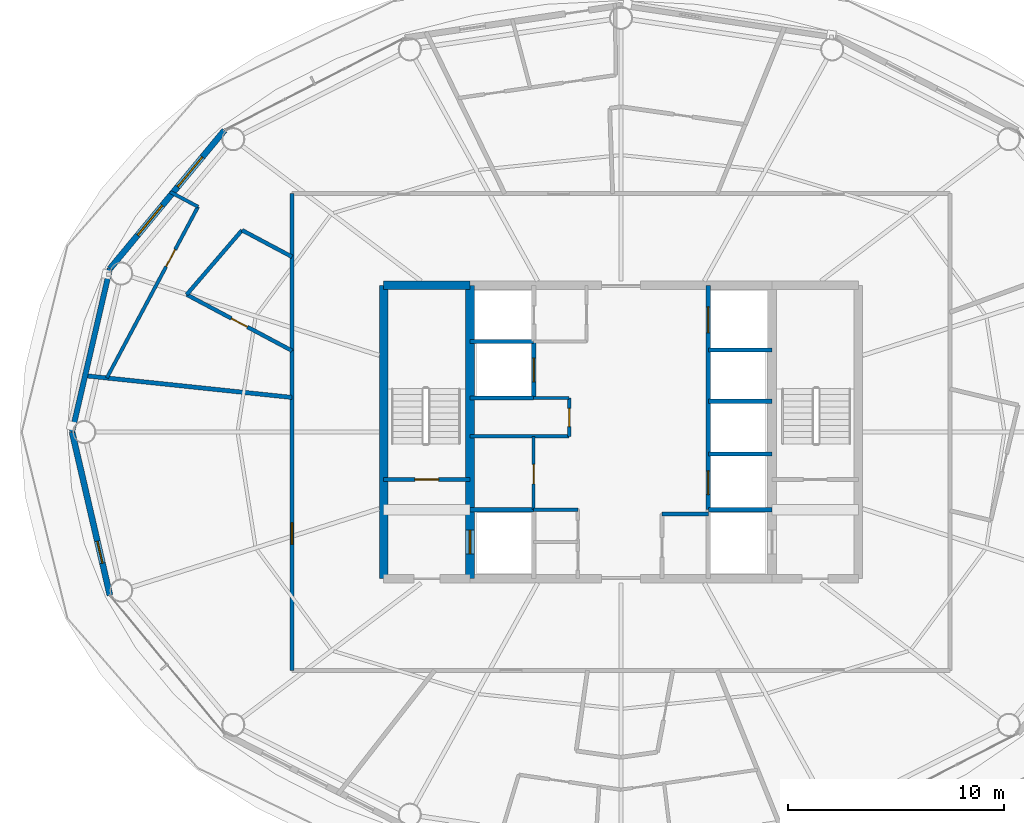
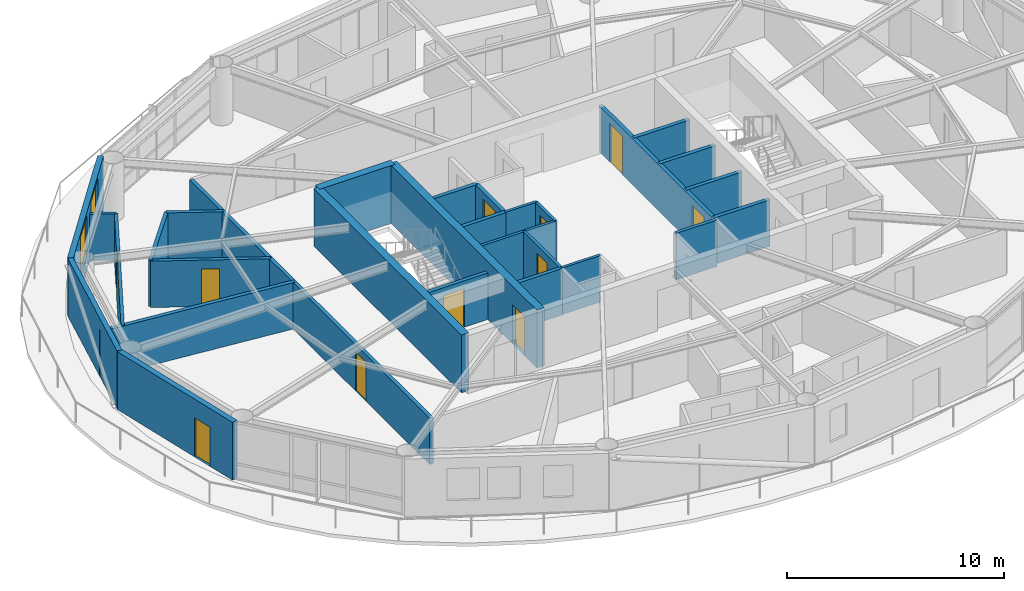
# One storey, part 19 of 24: 30 walls, 11 doors, 2 windows, 13 openings.
"""IFC4 building model written with IfcOpenShell, lengths in metres."""

from ifc_helpers import new_model, si_unit, direction, frame, frame_2d, origin, place, context, subcontext, project, spatial, rectangle, extrude, material, layer, layer_set, type_object, element, fill, save


model = new_model("IFC4")

# Units and contexts
model_context = context("Model", 3, precision=1e-05, world=origin(), true_north=direction((0.0, 1.0)))
body_context = subcontext(model_context, "Body", "Model", "MODEL_VIEW")
ifc_project = project(units=[si_unit("LENGTHUNIT", "METRE"), si_unit("AREAUNIT", "SQUARE_METRE"), si_unit("VOLUMEUNIT", "CUBIC_METRE"), si_unit("PLANEANGLEUNIT", "RADIAN"), si_unit("MASSUNIT", "GRAM", prefix="KILO")], contexts=[model_context])

# Site, building, storey
site_placement = place(None, origin())
site = spatial("IfcSite", under=ifc_project, at=site_placement, CompositionType="ELEMENT")
building_placement = place(site_placement, origin())
building = spatial("IfcBuilding", under=site, at=building_placement, Name="Sarneth Arch Tower", CompositionType="ELEMENT")
storey_placement = place(building_placement, frame((0.0, 0.0, 253.199951171875)))
storey = spatial("IfcBuildingStorey", under=building, at=storey_placement, Name="L65", CompositionType="ELEMENT", Elevation=253.199951171875)

# Walls
ifc_material_1 = material(Name="Concrete C50/60", Category="concrete")
ifc_layer_1 = layer(ifc_material_1, 0.39990234375)
ifc_layer_set_1 = layer_set([ifc_layer_1], Name="Concrete C50/60")
wall_type_1 = type_object("IfcWallType", Name="WALL-CORE-400", PredefinedType="SHEAR", material=ifc_layer_set_1)
wall_1_placement = place(storey_placement, frame((37.0, 48.800048828125, 0.0), z_axis=(0.0, 0.0, 1.0), x_axis=(1.0, 0.0, 0.0)))
element("IfcWall", 1, at=wall_1_placement, inside=storey, type_object=wall_type_1, Name="L65 Core shear wall N-W", PredefinedType="SHEAR", context=body_context, shape_type="SweptSolid", body=[
    extrude(rectangle(XDim=4.0, YDim=0.39990234375, at=frame_2d((2.0, 0.0))), origin(), (0.0, 0.0, 1.0), 3.25),
])
wall_2_placement = place(storey_placement, frame((37.0, 35.199951171875, 0.0), z_axis=(0.0, 0.0, 1.0), x_axis=(0.0, 1.0, 0.0)))
element("IfcWall", 2, at=wall_2_placement, inside=storey, type_object=wall_type_1, Name="L65 Core shear wall W", PredefinedType="SHEAR", context=body_context, shape_type="SweptSolid", body=[
    extrude(rectangle(XDim=13.60009765625, YDim=0.39990234375, at=frame_2d((6.800048828125, 0.0))), origin(), (0.0, 0.0, 1.0), 3.25),
])

# Wall, opening, door
wall_3_placement = place(storey_placement, frame((41.0, 35.199951171875, 0.0), z_axis=(0.0, 0.0, 1.0), x_axis=(0.0, 1.0, 0.0)))
wall_3 = element("IfcWall", 3, at=wall_3_placement, inside=storey, type_object=wall_type_1, Name="L65 Core shear wall WEB-W", PredefinedType="SHEAR", context=body_context, shape_type="SweptSolid", body=[
    extrude(rectangle(XDim=13.60009765625, YDim=0.39990234375, at=frame_2d((6.800048828125, 0.0))), origin(), (0.0, 0.0, 1.0), 3.25),
])
opening_1_placement = place(wall_3_placement, frame((1.14990234375, 0.0, 0.0)))
opening_1 = element("IfcOpeningElement", 4, at=opening_1_placement, cuts=wall_3, Name="Opening LD-1", PredefinedType="OPENING", context=body_context, shape_type="SweptSolid", body=[
    extrude(rectangle(XDim=1.10009765625, YDim=2.199951171875, at=frame_2d((0.550048828125, 1.10009765625))), frame((0.0, 0.2099609375, 0.0), z_axis=(0.0, -1.0, 0.0), x_axis=(1.0, 0.0, 0.0)), (0.0, 0.0, 1.0), 0.419921875),
])
ifc_material_2 = material(Name="Brushed Stainless Steel 304 lift landing door", Category="steel")
door_type_1 = type_object("IfcDoorType", Name="DR-LIFT-SLIDE-1100", OperationType="SLIDING_TO_LEFT", PredefinedType="DOOR", material=ifc_material_2)
door_1_placement = place(opening_1_placement, origin())
door_1 = element("IfcDoor", 5, at=door_1_placement, inside=storey, type_object=door_type_1, Name="L65 Firefighting lift landing door FL-1", OperationType="SLIDING_TO_LEFT", OverallHeight=2.199951171875, OverallWidth=1.10009765625, PredefinedType="DOOR", context=body_context, shape_type="SweptSolid", body=[
    extrude(rectangle(XDim=1.10009765625, YDim=2.199951171875, at=frame_2d((0.550048828125, 1.10009765625))), frame((0.0, 0.02490234375, 0.0), z_axis=(0.0, -1.0, 0.0), x_axis=(1.0, 0.0, 0.0)), (0.0, 0.0, 1.0), 0.050048828125),
])
fill(opening_1, door_1)

ifc_material_3 = material(Name="Double steel-stud corridor fire wall", Category="steel")
ifc_layer_2 = layer(ifc_material_3, 0.18994140625)
ifc_layer_set_2 = layer_set([ifc_layer_2], Name="Double steel-stud corridor fire wall")
wall_type_2 = type_object("IfcWallType", Name="WALL-CORR-190", PredefinedType="PARTITIONING", material=ifc_layer_set_2)
wall_4_placement = place(storey_placement, frame((32.75, 30.949951171875, 0.0), z_axis=(0.0, 0.0, 1.0), x_axis=(0.0, 1.0, 0.0)))
wall_4 = element("IfcWall", 6, at=wall_4_placement, inside=storey, type_object=wall_type_2, Name="L65 Interior partition W-L65-TP-010", PredefinedType="PARTITIONING", context=body_context, shape_type="SweptSolid", body=[
    extrude(rectangle(XDim=14.854736328125, YDim=0.18994140625, at=frame_2d((7.42724609375, 0.0))), origin(), (0.0, 0.0, 1.0), 2.610107421875),
])
opening_2_placement = place(wall_4_placement, frame((5.842529296875, 0.0, 0.0)))
opening_2 = element("IfcOpeningElement", 7, at=opening_2_placement, cuts=wall_4, Name="Opening FD-08", PredefinedType="OPENING", context=body_context, shape_type="SweptSolid", body=[
    extrude(rectangle(XDim=1.0, YDim=2.199951171875, at=frame_2d((0.5, 1.10009765625))), frame((0.0, 0.10498046875, 0.0), z_axis=(0.0, -1.0, 0.0), x_axis=(1.0, 0.0, 0.0)), (0.0, 0.0, 1.0), 0.2099609375),
])
ifc_material_4 = material(Name="Hardwood timber acoustic fire door", Category="wood")
door_type_2 = type_object("IfcDoorType", Name="DR-FD60-1000", OperationType="SINGLE_SWING_LEFT", PredefinedType="DOOR", material=ifc_material_4)
door_2_placement = place(opening_2_placement, origin())
door_2 = element("IfcDoor", 8, at=door_2_placement, inside=storey, type_object=door_type_2, Name="L65 Interior door DR-L65-RAMN-04", OperationType="SINGLE_SWING_LEFT", OverallHeight=2.199951171875, OverallWidth=1.0, PredefinedType="DOOR", context=body_context, shape_type="SweptSolid", body=[
    extrude(rectangle(XDim=1.0, YDim=2.199951171875, at=frame_2d((0.5, 1.10009765625))), frame((0.0, 0.02490234375, 0.0), z_axis=(0.0, -1.0, 0.0), x_axis=(1.0, 0.0, 0.0)), (0.0, 0.0, 1.0), 0.050048828125),
])
fill(opening_2, door_2)

# Walls
wall_5_placement = place(storey_placement, frame((32.75, 53.050048828125, 0.0), z_axis=(0.0, 0.0, 1.0), x_axis=(0.0, -1.0, 0.0)))
element("IfcWall", 9, at=wall_5_placement, inside=storey, type_object=wall_type_2, Name="L65 Interior partition W-L65-TP-008", PredefinedType="PARTITIONING", context=body_context, shape_type="SweptSolid", body=[
    extrude(rectangle(XDim=7.281494140625, YDim=0.18994140625, at=frame_2d((3.640625, 0.0))), origin(), (0.0, 0.0, 1.0), 2.610107421875),
])
ifc_material_5 = material(Name="Extruded terracotta rainscreen on Concrete C40/50 backing", Category="masonry")
ifc_layer_3 = layer(ifc_material_5, 0.25)
ifc_layer_set_3 = layer_set([ifc_layer_3], Name="Extruded terracotta rainscreen on Concrete C40/50 backing")
wall_type_3 = type_object("IfcWallType", Name="WALL-EXT-SPAND-250", PredefinedType="SOLIDWALL", material=ifc_layer_set_3)
wall_6_placement = place(storey_placement, frame((24.30615234375, 49.569580078125, 0.0), z_axis=(0.0, 0.0, 1.0), x_axis=(-0.225635078214, -0.974211892495, 0.0)))
element("IfcWall", 10, at=wall_6_placement, inside=storey, type_object=wall_type_3, Name="L65 Terracotta perimeter wall 08", PredefinedType="SOLIDWALL", context=body_context, shape_type="SweptSolid", body=[
    extrude(rectangle(XDim=7.77001953125, YDim=0.25, at=frame_2d((3.885009765625, 0.0))), origin(), (0.0, 0.0, 1.0), 3.25),
])

# Wall, openings, windows
ifc_material_6 = material(Name="Extruded terracotta rainscreen on Concrete C40/50 backing", Category="masonry")
ifc_layer_4 = layer(ifc_material_6, 0.280029296875)
ifc_layer_set_4 = layer_set([ifc_layer_4], Name="Extruded terracotta rainscreen on Concrete C40/50 backing")
wall_type_4 = type_object("IfcWallType", Name="WALL-EXT-TERRA-280", PredefinedType="SOLIDWALL", material=ifc_layer_set_4)
wall_7_placement = place(storey_placement, frame((29.617431640625, 55.986572265625, 0.0), z_axis=(0.0, 0.0, 1.0), x_axis=(-0.63761509934, -0.770355103243, 0.0)))
wall_7 = element("IfcWall", 11, at=wall_7_placement, inside=storey, type_object=wall_type_4, Name="L65 Terracotta perimeter wall 07", PredefinedType="SOLIDWALL", context=body_context, shape_type="SweptSolid", body=[
    extrude(rectangle(XDim=8.329833984375, YDim=0.280029296875, at=frame_2d((4.1650390625, 0.0))), origin(), (0.0, 0.0, 1.0), 3.25),
])
opening_3_placement = place(wall_7_placement, frame((1.605224609375, 0.0, 0.85009765625)))
opening_3 = element("IfcOpeningElement", 12, at=opening_3_placement, cuts=wall_7, Name="Opening W-04", PredefinedType="OPENING", context=body_context, shape_type="SweptSolid", body=[
    extrude(rectangle(XDim=1.800048828125, YDim=2.199951171875, at=frame_2d((0.89990234375, 1.10009765625))), frame((0.0, 0.14990234375, 0.0), z_axis=(0.0, -1.0, 0.0), x_axis=(1.0, 0.0, 0.0)), (0.0, 0.0, 1.0), 0.300048828125),
])
opening_4_placement = place(wall_7_placement, frame((4.51025390625, 0.0, 0.85009765625)))
opening_4 = element("IfcOpeningElement", 13, at=opening_4_placement, cuts=wall_7, Name="Opening W-04", PredefinedType="OPENING", context=body_context, shape_type="SweptSolid", body=[
    extrude(rectangle(XDim=1.800048828125, YDim=2.199951171875, at=frame_2d((0.89990234375, 1.10009765625))), frame((0.0, 0.14990234375, 0.0), z_axis=(0.0, -1.0, 0.0), x_axis=(1.0, 0.0, 0.0)), (0.0, 0.0, 1.0), 0.300048828125),
])
ifc_material_7 = material(Name="Thermally broken Aluminium 6063-T6 and low-e laminated IGU", Category="aluminium")
window_type = type_object("IfcWindowType", Name="WIN-TWR-1800x2200", PartitioningType="DOUBLE_PANEL_VERTICAL", PredefinedType="WINDOW", material=ifc_material_7)
window_1_placement = place(opening_3_placement, origin())
window_1 = element("IfcWindow", 14, at=window_1_placement, inside=storey, type_object=window_type, Name="L65 Exterior window 07A", OverallHeight=2.199951171875, OverallWidth=1.800048828125, PartitioningType="SINGLE_PANEL", PredefinedType="WINDOW", context=body_context, shape_type="SweptSolid", body=[
    extrude(rectangle(XDim=1.800048828125, YDim=2.199951171875, at=frame_2d((0.89990234375, 1.10009765625))), frame((0.0, 0.030029296875, 0.0), z_axis=(0.0, -1.0, 0.0), x_axis=(1.0, 0.0, 0.0)), (0.0, 0.0, 1.0), 0.06005859375),
])
fill(opening_3, window_1)
window_2_placement = place(opening_4_placement, origin())
window_2 = element("IfcWindow", 15, at=window_2_placement, inside=storey, type_object=window_type, Name="L65 Exterior window 07B", OverallHeight=2.199951171875, OverallWidth=1.800048828125, PartitioningType="SINGLE_PANEL", PredefinedType="WINDOW", context=body_context, shape_type="SweptSolid", body=[
    extrude(rectangle(XDim=1.800048828125, YDim=2.199951171875, at=frame_2d((0.89990234375, 1.10009765625))), frame((0.0, 0.030029296875, 0.0), z_axis=(0.0, -1.0, 0.0), x_axis=(1.0, 0.0, 0.0)), (0.0, 0.0, 1.0), 0.06005859375),
])
fill(opening_4, window_2)

# Wall, opening, door
wall_8_placement = place(storey_placement, frame((22.552978515625, 42.0, 0.0), z_axis=(0.0, 0.0, 1.0), x_axis=(0.225635078214, -0.974211892495, 0.0)))
wall_8 = element("IfcWall", 16, at=wall_8_placement, inside=storey, type_object=wall_type_4, Name="L65 Terracotta perimeter wall 09", PredefinedType="SOLIDWALL", context=body_context, shape_type="SweptSolid", body=[
    extrude(rectangle(XDim=7.77001953125, YDim=0.280029296875, at=frame_2d((3.885009765625, 0.0))), origin(), (0.0, 0.0, 1.0), 3.25),
])
opening_5_placement = place(wall_8_placement, frame((5.192138671875, 0.0, 0.0)))
opening_5 = element("IfcOpeningElement", 17, at=opening_5_placement, cuts=wall_8, Name="Opening BD-4", PredefinedType="OPENING", context=body_context, shape_type="SweptSolid", body=[
    extrude(rectangle(XDim=1.050048828125, YDim=2.199951171875, at=frame_2d((0.52490234375, 1.10009765625))), frame((0.0, 0.14990234375, 0.0), z_axis=(0.0, -1.0, 0.0), x_axis=(1.0, 0.0, 0.0)), (0.0, 0.0, 1.0), 0.300048828125),
])
ifc_material_8 = material(Name="Thermally broken Aluminium 6063-T6 and laminated safety glass", Category="aluminium")
door_type_3 = type_object("IfcDoorType", Name="DR-BALC-GLZ-1050", OperationType="SINGLE_SWING_RIGHT", PredefinedType="DOOR", material=ifc_material_8)
door_3_placement = place(opening_5_placement, origin())
door_3 = element("IfcDoor", 18, at=door_3_placement, inside=storey, type_object=door_type_3, Name="L65 Balcony glazed door 09", OperationType="SINGLE_SWING_RIGHT", OverallHeight=2.199951171875, OverallWidth=1.050048828125, PredefinedType="DOOR", context=body_context, shape_type="SweptSolid", body=[
    extrude(rectangle(XDim=1.050048828125, YDim=2.199951171875, at=frame_2d((0.52490234375, 1.10009765625))), frame((0.0, 0.02490234375, 0.0), z_axis=(0.0, -1.0, 0.0), x_axis=(1.0, 0.0, 0.0)), (0.0, 0.0, 1.0), 0.050048828125),
])
fill(opening_5, door_3)

ifc_material_9 = material(Name="Acoustic gypsum stud partition", Category="gypsum")
ifc_layer_5 = layer(ifc_material_9, 0.14990234375)
ifc_layer_set_5 = layer_set([ifc_layer_5], Name="Acoustic gypsum stud partition")
wall_type_5 = type_object("IfcWallType", Name="WALL-PART-150", PredefinedType="PARTITIONING", material=ifc_layer_set_5)
wall_9_placement = place(storey_placement, frame((43.949951171875, 38.39990234375, 0.0), z_axis=(0.0, 0.0, 1.0), x_axis=(0.0, 1.0, 0.0)))
wall_9 = element("IfcWall", 19, at=wall_9_placement, inside=storey, type_object=wall_type_5, Name="L65 Interior partition W-L65-RECPL-E1", PredefinedType="PARTITIONING", context=body_context, shape_type="SweptSolid", body=[
    extrude(rectangle(XDim=3.400146484375, YDim=0.14990234375, at=frame_2d((1.7001953125, 0.0))), origin(), (0.0, 0.0, 1.0), 2.610107421875),
])
opening_6_placement = place(wall_9_placement, frame((1.199951171875, 0.0, 0.0)))
opening_6 = element("IfcOpeningElement", 20, at=opening_6_placement, cuts=wall_9, Name="Opening FD-10", PredefinedType="OPENING", context=body_context, shape_type="SweptSolid", body=[
    extrude(rectangle(XDim=0.89990234375, YDim=2.14990234375, at=frame_2d((0.449951171875, 1.074951171875))), frame((0.0, 0.0849609375, 0.0), z_axis=(0.0, -1.0, 0.0), x_axis=(1.0, 0.0, 0.0)), (0.0, 0.0, 1.0), 0.169921875),
])
ifc_material_10 = material(Name="Galvanised Steel S275 riser/service fire door", Category="steel")
door_type_4 = type_object("IfcDoorType", Name="DR-FD60-900", OperationType="SINGLE_SWING_LEFT", PredefinedType="DOOR", material=ifc_material_10)
door_4_placement = place(opening_6_placement, origin())
door_4 = element("IfcDoor", 21, at=door_4_placement, inside=storey, type_object=door_type_4, Name="L65 Interior door DR-L65-RECPL1", OperationType="SINGLE_SWING_LEFT", OverallHeight=2.14990234375, OverallWidth=0.89990234375, PredefinedType="DOOR", context=body_context, shape_type="SweptSolid", body=[
    extrude(rectangle(XDim=0.89990234375, YDim=2.14990234375, at=frame_2d((0.449951171875, 1.074951171875))), frame((0.0, 0.02490234375, 0.0), z_axis=(0.0, -1.0, 0.0), x_axis=(1.0, 0.0, 0.0)), (0.0, 0.0, 1.0), 0.050048828125),
])
fill(opening_6, door_4)

# Walls
wall_10_placement = place(storey_placement, frame((41.0, 41.800048828125, 0.0), z_axis=(0.0, 0.0, 1.0), x_axis=(1.0, 0.0, 0.0)))
element("IfcWall", 22, at=wall_10_placement, inside=storey, type_object=wall_type_5, Name="L65 Interior partition W-L65-RECPL-S2", PredefinedType="PARTITIONING", context=body_context, shape_type="SweptSolid", body=[
    extrude(rectangle(XDim=4.60009765625, YDim=0.14990234375, at=frame_2d((2.300048828125, 0.0))), origin(), (0.0, 0.0, 1.0), 2.610107421875),
])
wall_11_placement = place(storey_placement, frame((43.949951171875, 43.580078125, 0.0), z_axis=(0.0, 0.0, 1.0), x_axis=(1.0, 0.0, 0.0)))
element("IfcWall", 23, at=wall_11_placement, inside=storey, type_object=wall_type_5, Name="L65 Interior partition W-L65-RECPL-N2", PredefinedType="PARTITIONING", context=body_context, shape_type="SweptSolid", body=[
    extrude(rectangle(XDim=1.650146484375, YDim=0.14990234375, at=frame_2d((0.8251953125, 0.0))), origin(), (0.0, 0.0, 1.0), 2.610107421875),
])

# Wall, opening, door
wall_12_placement = place(storey_placement, frame((45.60009765625, 41.800048828125, 0.0), z_axis=(0.0, 0.0, 1.0), x_axis=(0.0, 1.0, 0.0)))
wall_12 = element("IfcWall", 24, at=wall_12_placement, inside=storey, type_object=wall_type_5, Name="L65 Interior partition W-L65-RECPL-E2", PredefinedType="PARTITIONING", context=body_context, shape_type="SweptSolid", body=[
    extrude(rectangle(XDim=1.780029296875, YDim=0.14990234375, at=frame_2d((0.89013671875, 0.0))), origin(), (0.0, 0.0, 1.0), 2.610107421875),
])
opening_7_placement = place(wall_12_placement, frame((0.449951171875, 0.0, 0.0)))
opening_7 = element("IfcOpeningElement", 25, at=opening_7_placement, cuts=wall_12, Name="Opening FD-11", PredefinedType="OPENING", context=body_context, shape_type="SweptSolid", body=[
    extrude(rectangle(XDim=0.85009765625, YDim=2.14990234375, at=frame_2d((0.425048828125, 1.074951171875))), frame((0.0, 0.0849609375, 0.0), z_axis=(0.0, -1.0, 0.0), x_axis=(1.0, 0.0, 0.0)), (0.0, 0.0, 1.0), 0.169921875),
])
ifc_material_11 = material(Name="Galvanised Steel S275 closet fire door", Category="steel")
door_type_5 = type_object("IfcDoorType", Name="DR-FD60-850", OperationType="SINGLE_SWING_LEFT", PredefinedType="DOOR", material=ifc_material_11)
door_5_placement = place(opening_7_placement, origin())
door_5 = element("IfcDoor", 26, at=door_5_placement, inside=storey, type_object=door_type_5, Name="L65 Interior door DR-L65-RECPL2", OperationType="SINGLE_SWING_RIGHT", OverallHeight=2.14990234375, OverallWidth=0.85009765625, PredefinedType="DOOR", context=body_context, shape_type="SweptSolid", body=[
    extrude(rectangle(XDim=0.85009765625, YDim=2.14990234375, at=frame_2d((0.425048828125, 1.074951171875))), frame((0.0, 0.02490234375, 0.0), z_axis=(0.0, -1.0, 0.0), x_axis=(1.0, 0.0, 0.0)), (0.0, 0.0, 1.0), 0.050048828125),
])
fill(opening_7, door_5)

# Wall
wall_13_placement = place(storey_placement, frame((43.949951171875, 38.39990234375, 0.0), z_axis=(0.0, 0.0, 1.0), x_axis=(1.0, 0.0, 0.0)))
element("IfcWall", 27, at=wall_13_placement, inside=storey, type_object=wall_type_5, Name="L65 Interior partition W-L65-CSUP-N", PredefinedType="PARTITIONING", context=body_context, shape_type="SweptSolid", body=[
    extrude(rectangle(XDim=2.050048828125, YDim=0.14990234375, at=frame_2d((1.02490234375, 0.0))), origin(), (0.0, 0.0, 1.0), 2.610107421875),
])

# Wall, opening, door
ifc_material_12 = material(Name="Kitchen wet service chase wall", Category="gypsum")
ifc_layer_6 = layer(ifc_material_12, 0.159912109375)
ifc_layer_set_6 = layer_set([ifc_layer_6], Name="Kitchen wet service chase wall")
wall_type_6 = type_object("IfcWallType", Name="WALL-PLUMB-160", PredefinedType="PLUMBINGWALL", material=ifc_layer_set_6)
wall_14_placement = place(storey_placement, frame((28.39111328125, 52.44384765625, 0.0), z_axis=(0.0, 0.0, 1.0), x_axis=(-0.470083782917, -0.882621797282, 0.0)))
wall_14 = element("IfcWall", 28, at=wall_14_placement, inside=storey, type_object=wall_type_6, Name="L65 Interior partition W-L65-TP-035", PredefinedType="PLUMBINGWALL", context=body_context, shape_type="SweptSolid", body=[
    extrude(rectangle(XDim=8.994140625, YDim=0.159912109375, at=frame_2d((4.4970703125, 0.0))), origin(), (0.0, 0.0, 1.0), 2.610107421875),
])
opening_8_placement = place(wall_14_placement, frame((2.2470703125, 0.0, 0.0)))
opening_8 = element("IfcOpeningElement", 29, at=opening_8_placement, cuts=wall_14, Name="Opening ID-01", PredefinedType="OPENING", context=body_context, shape_type="SweptSolid", body=[
    extrude(rectangle(XDim=0.89990234375, YDim=2.10009765625, at=frame_2d((0.449951171875, 1.050048828125))), frame((0.0, 0.08984375, 0.0), z_axis=(0.0, -1.0, 0.0), x_axis=(1.0, 0.0, 0.0)), (0.0, 0.0, 1.0), 0.179931640625),
])
ifc_material_13 = material(Name="Engineered hardwood flush door", Category="wood")
door_type_6 = type_object("IfcDoorType", Name="DR-INT-900", OperationType="SINGLE_SWING_LEFT", PredefinedType="DOOR", material=ifc_material_13)
door_6_placement = place(opening_8_placement, origin())
door_6 = element("IfcDoor", 30, at=door_6_placement, inside=storey, type_object=door_type_6, Name="L65 Interior door DR-L65-U3-KIT", OperationType="SINGLE_SWING_RIGHT", OverallHeight=2.10009765625, OverallWidth=0.89990234375, PredefinedType="DOOR", context=body_context, shape_type="SweptSolid", body=[
    extrude(rectangle(XDim=0.89990234375, YDim=2.10009765625, at=frame_2d((0.449951171875, 1.050048828125))), frame((0.0, 0.02490234375, 0.0), z_axis=(0.0, -1.0, 0.0), x_axis=(1.0, 0.0, 0.0)), (0.0, 0.0, 1.0), 0.050048828125),
])
fill(opening_8, door_6)

# Walls
wall_15_placement = place(storey_placement, frame((27.101318359375, 53.130859375, 0.0), z_axis=(0.0, 0.0, 1.0), x_axis=(0.882602546791, -0.470119925548, 0.0)))
element("IfcWall", 31, at=wall_15_placement, inside=storey, type_object=wall_type_6, Name="L65 Interior partition W-L65-TP-034", PredefinedType="PLUMBINGWALL", context=body_context, shape_type="SweptSolid", body=[
    extrude(rectangle(XDim=1.46142578125, YDim=0.159912109375, at=frame_2d((0.730712890625, 0.0))), origin(), (0.0, 0.0, 1.0), 2.610107421875),
])
ifc_material_14 = material(Name="Moisture-resistant plumbing chase wall", Category="gypsum")
ifc_layer_7 = layer(ifc_material_14, 0.179931640625)
ifc_layer_set_7 = layer_set([ifc_layer_7], Name="Moisture-resistant plumbing chase wall")
wall_type_7 = type_object("IfcWallType", Name="WALL-PLUMB-180", PredefinedType="PLUMBINGWALL", material=ifc_layer_set_7)
wall_16_placement = place(storey_placement, frame((49.89990234375, 38.199951171875, 0.0), z_axis=(0.0, 0.0, 1.0), x_axis=(1.0, 0.0, 0.0)))
element("IfcWall", 32, at=wall_16_placement, inside=storey, type_object=wall_type_7, Name="L65 Interior partition W-L65-AWC-N", PredefinedType="PLUMBINGWALL", context=body_context, shape_type="SweptSolid", body=[
    extrude(rectangle(XDim=2.150146484375, YDim=0.179931640625, at=frame_2d((1.0751953125, 0.0))), origin(), (0.0, 0.0, 1.0), 2.610107421875),
])

# Wall, opening, door
wall_17_placement = place(storey_placement, frame((32.75, 45.7685546875, 0.0), z_axis=(0.0, 0.0, 1.0), x_axis=(-0.882616579005, 0.470093580541, 0.0)))
wall_17 = element("IfcWall", 33, at=wall_17_placement, inside=storey, type_object=wall_type_7, Name="L65 Interior partition W-L65-TP-031", PredefinedType="PLUMBINGWALL", context=body_context, shape_type="SweptSolid", body=[
    extrude(rectangle(XDim=5.5341796875, YDim=0.179931640625, at=frame_2d((2.76708984375, 0.0))), origin(), (0.0, 0.0, 1.0), 2.610107421875),
])
opening_9_placement = place(wall_17_placement, frame((2.342041015625, 0.0, 0.0)))
opening_9 = element("IfcOpeningElement", 34, at=opening_9_placement, cuts=wall_17, Name="Opening ID-02", PredefinedType="OPENING", context=body_context, shape_type="SweptSolid", body=[
    extrude(rectangle(XDim=0.85009765625, YDim=2.10009765625, at=frame_2d((0.425048828125, 1.050048828125))), frame((0.0, 0.099853515625, 0.0), z_axis=(0.0, -1.0, 0.0), x_axis=(1.0, 0.0, 0.0)), (0.0, 0.0, 1.0), 0.199951171875),
])
ifc_material_15 = material(Name="Moisture-resistant bathroom timber door", Category="wood")
door_type_7 = type_object("IfcDoorType", Name="DR-INT-850", OperationType="SINGLE_SWING_RIGHT", PredefinedType="DOOR", material=ifc_material_15)
door_7_placement = place(opening_9_placement, origin())
door_7 = element("IfcDoor", 35, at=door_7_placement, inside=storey, type_object=door_type_7, Name="L65 Interior door DR-L65-U3-BATH", OperationType="SINGLE_SWING_LEFT", OverallHeight=2.10009765625, OverallWidth=0.85009765625, PredefinedType="DOOR", context=body_context, shape_type="SweptSolid", body=[
    extrude(rectangle(XDim=0.85009765625, YDim=2.10009765625, at=frame_2d((0.425048828125, 1.050048828125))), frame((0.0, 0.02490234375, 0.0), z_axis=(0.0, -1.0, 0.0), x_axis=(1.0, 0.0, 0.0)), (0.0, 0.0, 1.0), 0.050048828125),
])
fill(opening_9, door_7)

# Walls
wall_18_placement = place(storey_placement, frame((27.865478515625, 48.3701171875, 0.0), z_axis=(0.0, 0.0, 1.0), x_axis=(0.65191382082, 0.758293063548, 0.0)))
element("IfcWall", 36, at=wall_18_placement, inside=storey, type_object=wall_type_7, Name="L65 Interior partition W-L65-TP-032", PredefinedType="PLUMBINGWALL", context=body_context, shape_type="SweptSolid", body=[
    extrude(rectangle(XDim=3.938232421875, YDim=0.179931640625, at=frame_2d((1.96923828125, 0.0))), origin(), (0.0, 0.0, 1.0), 2.610107421875),
])
wall_19_placement = place(storey_placement, frame((30.432861328125, 51.3564453125, 0.0), z_axis=(0.0, 0.0, 1.0), x_axis=(0.882617950214, -0.470091006041, 0.0)))
element("IfcWall", 37, at=wall_19_placement, inside=storey, type_object=wall_type_7, Name="L65 Interior partition W-L65-TP-033", PredefinedType="PLUMBINGWALL", context=body_context, shape_type="SweptSolid", body=[
    extrude(rectangle(XDim=2.625244140625, YDim=0.179931640625, at=frame_2d((1.3125, 0.0))), origin(), (0.0, 0.0, 1.0), 2.610107421875),
])

# Wall, opening, door
ifc_material_16 = material(Name="Aerated concrete blockwork C25/30", Category="masonry")
ifc_layer_8 = layer(ifc_material_16, 0.199951171875)
ifc_layer_set_8 = layer_set([ifc_layer_8], Name="Aerated concrete blockwork C25/30")
wall_type_8 = type_object("IfcWallType", Name="WALL-SHAFT-200", PredefinedType="SOLIDWALL", material=ifc_layer_set_8)
wall_20_placement = place(storey_placement, frame((37.0, 39.800048828125, 0.0), z_axis=(0.0, 0.0, 1.0), x_axis=(1.0, 0.0, 0.0)))
wall_20 = element("IfcWall", 38, at=wall_20_placement, inside=storey, type_object=wall_type_8, Name="L65 Interior partition W-L65-ST1-S", PredefinedType="SOLIDWALL", context=body_context, shape_type="SweptSolid", body=[
    extrude(rectangle(XDim=4.0, YDim=0.199951171875, at=frame_2d((2.0, 0.0))), origin(), (0.0, 0.0, 1.0), 2.610107421875),
])
opening_10_placement = place(wall_20_placement, frame((1.449951171875, 0.0, 0.0)))
opening_10 = element("IfcOpeningElement", 39, at=opening_10_placement, cuts=wall_20, Name="Opening FD-03", PredefinedType="OPENING", context=body_context, shape_type="SweptSolid", body=[
    extrude(rectangle(XDim=1.10009765625, YDim=2.14990234375, at=frame_2d((0.550048828125, 1.074951171875))), frame((0.0, 0.10986328125, 0.0), z_axis=(0.0, -1.0, 0.0), x_axis=(1.0, 0.0, 0.0)), (0.0, 0.0, 1.0), 0.219970703125),
])
ifc_material_17 = material(Name="Galvanised Steel S275 fire door set", Category="steel")
door_type_8 = type_object("IfcDoorType", Name="DR-FD90-1100", OperationType="SINGLE_SWING_LEFT", PredefinedType="DOOR", material=ifc_material_17)
door_8_placement = place(opening_10_placement, origin())
door_8 = element("IfcDoor", 40, at=door_8_placement, inside=storey, type_object=door_type_8, Name="L65 Interior door DR-L65-ST1", OperationType="SINGLE_SWING_LEFT", OverallHeight=2.14990234375, OverallWidth=1.10009765625, PredefinedType="DOOR", context=body_context, shape_type="SweptSolid", body=[
    extrude(rectangle(XDim=1.10009765625, YDim=2.14990234375, at=frame_2d((0.550048828125, 1.074951171875))), frame((0.0, 0.02490234375, 0.0), z_axis=(0.0, -1.0, 0.0), x_axis=(1.0, 0.0, 0.0)), (0.0, 0.0, 1.0), 0.050048828125),
])
fill(opening_10, door_8)

# Walls
for number, where, z_axis, x_axis, name in (
    (41, (41.0, 38.39990234375, 0.0), (0.0, 0.0, 1.0), (1.0, 0.0, 0.0), "L65 Interior partition W-L65-FL1-N"),
    (42, (52.050048828125, 38.39990234375, 0.0), (0.0, 0.0, 1.0), (1.0, 0.0, 0.0), "L65 Interior partition W-L65-FL2-N"),
    (43, (41.0, 46.199951171875, 0.0), (0.0, 0.0, 1.0), (1.0, 0.0, 0.0), "L65 Interior partition W-L65-RISER-S"),
    (44, (41.0, 43.580078125, 0.0), (0.0, 0.0, 1.0), (1.0, 0.0, 0.0), "L65 Interior partition W-L65-PM1-S"),
):
    element("IfcWall", number, at=place(storey_placement, frame(where, z_axis=z_axis, x_axis=x_axis)), inside=storey, type_object=wall_type_8, Name=name, PredefinedType="SOLIDWALL", context=body_context, shape_type="SweptSolid", body=[
        extrude(rectangle(XDim=2.949951171875, YDim=0.199951171875, at=frame_2d((1.47509765625, 0.0))), origin(), (0.0, 0.0, 1.0), 2.610107421875),
    ])

# Wall, opening, door
wall_21_placement = place(storey_placement, frame((43.949951171875, 43.580078125, 0.0), z_axis=(0.0, 0.0, 1.0), x_axis=(0.0, 1.0, 0.0)))
wall_21 = element("IfcWall", 45, at=wall_21_placement, inside=storey, type_object=wall_type_8, Name="L65 Interior partition W-L65-PM1-FRONT", PredefinedType="SOLIDWALL", context=body_context, shape_type="SweptSolid", body=[
    extrude(rectangle(XDim=2.619873046875, YDim=0.199951171875, at=frame_2d((1.31005859375, 0.0))), origin(), (0.0, 0.0, 1.0), 2.610107421875),
])
opening_11_placement = place(wall_21_placement, frame((0.75, 0.0, 0.0)))
opening_11 = element("IfcOpeningElement", 46, at=opening_11_placement, cuts=wall_21, Name="Opening LD-1", PredefinedType="OPENING", context=body_context, shape_type="SweptSolid", body=[
    extrude(rectangle(XDim=1.10009765625, YDim=2.199951171875, at=frame_2d((0.550048828125, 1.10009765625))), frame((0.0, 0.10986328125, 0.0), z_axis=(0.0, -1.0, 0.0), x_axis=(1.0, 0.0, 0.0)), (0.0, 0.0, 1.0), 0.219970703125),
])
door_9_placement = place(opening_11_placement, origin())
door_9 = element("IfcDoor", 47, at=door_9_placement, inside=storey, type_object=door_type_1, Name="L65 Lift landing door DR-L65-LD-PM1", OperationType="SLIDING_TO_LEFT", OverallHeight=2.199951171875, OverallWidth=1.10009765625, PredefinedType="DOOR", context=body_context, shape_type="SweptSolid", body=[
    extrude(rectangle(XDim=1.10009765625, YDim=2.199951171875, at=frame_2d((0.550048828125, 1.10009765625))), frame((0.0, 0.02490234375, 0.0), z_axis=(0.0, -1.0, 0.0), x_axis=(1.0, 0.0, 0.0)), (0.0, 0.0, 1.0), 0.050048828125),
])
fill(opening_11, door_9)

# Wall, openings, doors
wall_22_placement = place(storey_placement, frame((52.050048828125, 38.39990234375, 0.0), z_axis=(0.0, 0.0, 1.0), x_axis=(0.0, 1.0, 0.0)))
wall_22 = element("IfcWall", 48, at=wall_22_placement, inside=storey, type_object=wall_type_8, Name="L65 Interior partition W-L65-EASTBANK-FRONT", PredefinedType="SOLIDWALL", context=body_context, shape_type="SweptSolid", body=[
    extrude(rectangle(XDim=10.400146484375, YDim=0.199951171875, at=frame_2d((5.2001953125, 0.0))), origin(), (0.0, 0.0, 1.0), 2.610107421875),
])
opening_12_placement = place(wall_22_placement, frame((0.699951171875, 0.0, 0.0)))
opening_12 = element("IfcOpeningElement", 49, at=opening_12_placement, cuts=wall_22, Name="Opening LD-1", PredefinedType="OPENING", context=body_context, shape_type="SweptSolid", body=[
    extrude(rectangle(XDim=1.10009765625, YDim=2.199951171875, at=frame_2d((0.550048828125, 1.10009765625))), frame((0.0, 0.10986328125, 0.0), z_axis=(0.0, -1.0, 0.0), x_axis=(1.0, 0.0, 0.0)), (0.0, 0.0, 1.0), 0.219970703125),
])
opening_13_placement = place(wall_22_placement, frame((8.199951171875, 0.0, 0.0)))
opening_13 = element("IfcOpeningElement", 50, at=opening_13_placement, cuts=wall_22, Name="Opening LD-2", PredefinedType="OPENING", context=body_context, shape_type="SweptSolid", body=[
    extrude(rectangle(XDim=1.199951171875, YDim=2.199951171875, at=frame_2d((0.60009765625, 1.10009765625))), frame((0.0, 0.10986328125, 0.0), z_axis=(0.0, -1.0, 0.0), x_axis=(1.0, 0.0, 0.0)), (0.0, 0.0, 1.0), 0.219970703125),
])
door_10_placement = place(opening_12_placement, origin())
door_10 = element("IfcDoor", 51, at=door_10_placement, inside=storey, type_object=door_type_1, Name="L65 Lift landing door DR-L65-LD-PM2", OperationType="SLIDING_TO_LEFT", OverallHeight=2.199951171875, OverallWidth=1.10009765625, PredefinedType="DOOR", context=body_context, shape_type="SweptSolid", body=[
    extrude(rectangle(XDim=1.10009765625, YDim=2.199951171875, at=frame_2d((0.550048828125, 1.10009765625))), frame((0.0, 0.02490234375, 0.0), z_axis=(0.0, -1.0, 0.0), x_axis=(1.0, 0.0, 0.0)), (0.0, 0.0, 1.0), 0.050048828125),
])
fill(opening_12, door_10)
ifc_material_18 = material(Name="Brushed Stainless Steel 304 service lift door", Category="steel")
door_type_9 = type_object("IfcDoorType", Name="DR-LIFT-SLIDE-1200", OperationType="SLIDING_TO_RIGHT", PredefinedType="DOOR", material=ifc_material_18)
door_11_placement = place(opening_13_placement, origin())
door_11 = element("IfcDoor", 52, at=door_11_placement, inside=storey, type_object=door_type_9, Name="L65 Lift landing door DR-L65-LD-SL1", OperationType="SLIDING_TO_RIGHT", OverallHeight=2.199951171875, OverallWidth=1.199951171875, PredefinedType="DOOR", context=body_context, shape_type="SweptSolid", body=[
    extrude(rectangle(XDim=1.199951171875, YDim=2.199951171875, at=frame_2d((0.60009765625, 1.10009765625))), frame((0.0, 0.02490234375, 0.0), z_axis=(0.0, -1.0, 0.0), x_axis=(1.0, 0.0, 0.0)), (0.0, 0.0, 1.0), 0.050048828125),
])
fill(opening_13, door_11)

# Walls
for number, where, z_axis, x_axis, name in (
    (53, (52.050048828125, 40.97998046875, 0.0), (0.0, 0.0, 1.0), (1.0, 0.0, 0.0), "L65 Interior partition W-L65-EB-DIV-4098"),
    (54, (52.050048828125, 43.419921875, 0.0), (0.0, 0.0, 1.0), (1.0, 0.0, 0.0), "L65 Interior partition W-L65-EB-DIV-4342"),
    (55, (52.050048828125, 45.800048828125, 0.0), (0.0, 0.0, 1.0), (1.0, 0.0, 0.0), "L65 Interior partition W-L65-EB-DIV-4580"),
):
    element("IfcWall", number, at=place(storey_placement, frame(where, z_axis=z_axis, x_axis=x_axis)), inside=storey, type_object=wall_type_8, Name=name, PredefinedType="SOLIDWALL", context=body_context, shape_type="SweptSolid", body=[
        extrude(rectangle(XDim=2.949951171875, YDim=0.199951171875, at=frame_2d((1.47509765625, 0.0))), origin(), (0.0, 0.0, 1.0), 2.610107421875),
    ])
ifc_material_19 = material(Name="Double steel-stud acoustic drywall", Category="steel")
ifc_layer_9 = layer(ifc_material_19, 0.199951171875)
ifc_layer_set_9 = layer_set([ifc_layer_9], Name="Double steel-stud acoustic drywall")
wall_type_9 = type_object("IfcWallType", Name="WALL-UNIT-200", PredefinedType="PARTITIONING", material=ifc_layer_set_9)
wall_23_placement = place(storey_placement, frame((23.03857421875, 44.62353515625, 0.0), z_axis=(0.0, 0.0, 1.0), x_axis=(0.994521469813, -0.104532512074, 0.0)))
element("IfcWall", 56, at=wall_23_placement, inside=storey, type_object=wall_type_9, Name="L65 Interior partition W-L65-TP-036", PredefinedType="PARTITIONING", context=body_context, shape_type="SweptSolid", body=[
    extrude(rectangle(XDim=9.764892578125, YDim=0.199951171875, at=frame_2d((4.88232421875, 0.0))), origin(), (0.0, 0.0, 1.0), 2.610107421875),
])

save(model, "model.ifc")
